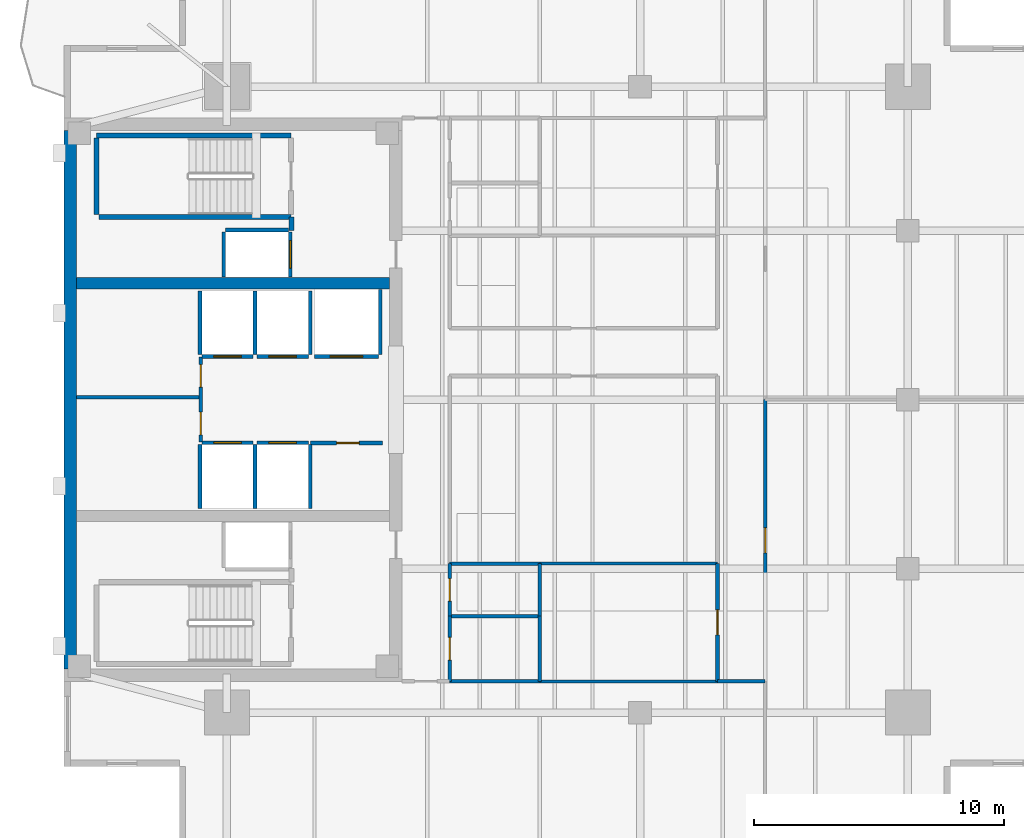
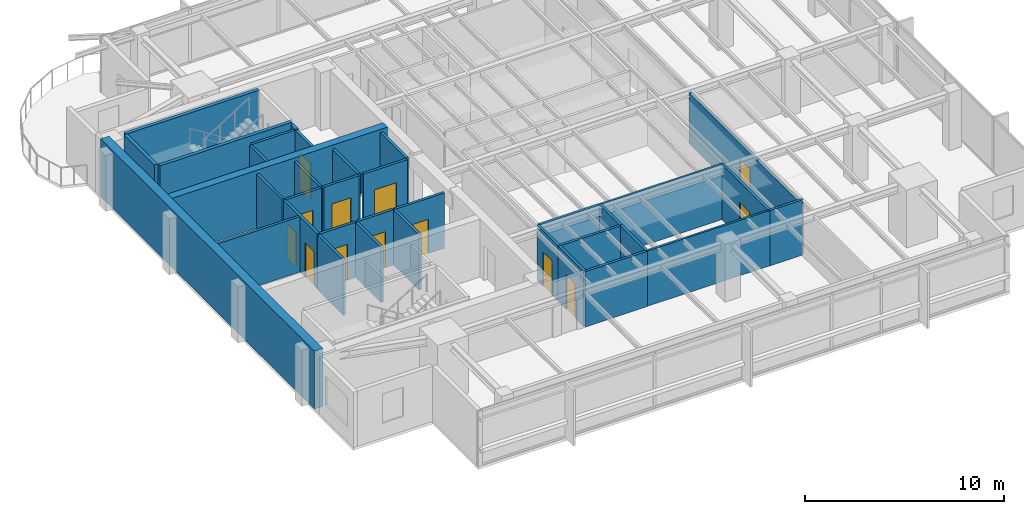
# One storey, part 8 of 14: 36 walls, 13 doors, 13 openings.
"""IFC4 building model written with IfcOpenShell, lengths in metres."""

from ifc_helpers import new_model, si_unit, direction, frame, frame_2d, origin, place, context, subcontext, project, spatial, rectangle, extrude, material, layer, layer_set, type_object, element, fill, save


model = new_model("IFC4")

# Units and contexts
model_context = context("Model", 3, precision=1e-05, world=origin(), true_north=direction((0.0, 1.0)))
body_context = subcontext(model_context, "Body", "Model", "MODEL_VIEW")
ifc_project = project(units=[si_unit("LENGTHUNIT", "METRE"), si_unit("AREAUNIT", "SQUARE_METRE"), si_unit("VOLUMEUNIT", "CUBIC_METRE"), si_unit("PLANEANGLEUNIT", "RADIAN"), si_unit("MASSUNIT", "GRAM", prefix="KILO")], contexts=[model_context])

# Site, building, storey
site_placement = place(None, origin())
site = spatial("IfcSite", under=ifc_project, at=site_placement, CompositionType="ELEMENT")
building_placement = place(site_placement, origin())
building = spatial("IfcBuilding", under=site, at=building_placement, Name="Kinhvarn Gate Tower", CompositionType="ELEMENT")
storey_placement = place(building_placement, frame((0.0, 0.0, 263.449951171875)))
storey = spatial("IfcBuildingStorey", under=building, at=storey_placement, Name="L70", CompositionType="ELEMENT", Elevation=263.449951171875)

# Walls
ifc_material_1 = material(Name="Concrete C50/60", Category="concrete")
ifc_layer_1 = layer(ifc_material_1, 0.449951171875)
ifc_layer_set_1 = layer_set([ifc_layer_1], Name="Concrete C50/60")
wall_type_1 = type_object("IfcWallType", Name="WL-CORE-450", PredefinedType="SHEAR", material=ifc_layer_set_1)
wall_1_placement = place(storey_placement, frame((5.0, 29.89990234375, 0.0), z_axis=(0.0, 0.0, 1.0), x_axis=(1.0, 0.0, 0.0)))
element("IfcWall", 1, at=wall_1_placement, inside=storey, type_object=wall_type_1, Name="Core North Spine Shear Wall L70 450 mm", PredefinedType="SHEAR", context=body_context, shape_type="SweptSolid", body=[
    extrude(rectangle(XDim=12.5, YDim=0.449951171875, at=frame_2d((6.25, 0.0))), origin(), (0.0, 0.0, 1.0), 3.550048828125),
])
ifc_layer_2 = layer(ifc_material_1, 0.5)
ifc_layer_set_2 = layer_set([ifc_layer_2], Name="Concrete C50/60")
wall_type_2 = type_object("IfcWallType", Name="WL-COREX-500", PredefinedType="SHEAR", material=ifc_layer_set_2)
wall_2_placement = place(storey_placement, frame((4.75, 14.5, 0.0), z_axis=(0.0, 0.0, 1.0), x_axis=(0.0, 1.0, 0.0)))
element("IfcWall", 2, at=wall_2_placement, inside=storey, type_object=wall_type_2, Name="Core West Shear Wall L70 500 mm", PredefinedType="SHEAR", context=body_context, shape_type="SweptSolid", body=[
    extrude(rectangle(XDim=21.5, YDim=0.5, at=frame_2d((10.75, 0.0))), origin(), (0.0, 0.0, 1.0), 3.550048828125),
])
ifc_material_2 = material(Name="Gypsum acoustic partition board")
ifc_layer_3 = layer(ifc_material_2, 0.14990234375)
ifc_layer_set_3 = layer_set([ifc_layer_3], Name="Gypsum acoustic partition board")
wall_type_3 = type_object("IfcWallType", Name="WL-PLM-150", PredefinedType="PLUMBINGWALL", material=ifc_layer_set_3)
wall_3_placement = place(storey_placement, frame((19.89990234375, 16.60009765625, 0.0), z_axis=(0.0, 0.0, 1.0), x_axis=(1.0, 0.0, 0.0)))
element("IfcWall", 3, at=wall_3_placement, inside=storey, type_object=wall_type_3, Name="Interior Partition PLW-150 (L70)", PredefinedType="PLUMBINGWALL", context=body_context, shape_type="SweptSolid", body=[
    extrude(rectangle(XDim=3.60009765625, YDim=0.14990234375, at=frame_2d((1.800048828125, 0.0))), origin(), (0.0, 0.0, 1.0), 3.39013671875),
])
wall_4_placement = place(storey_placement, frame((23.5, 14.0, 0.0), z_axis=(0.0, 0.0, 1.0), x_axis=(0.0, 1.0, 0.0)))
element("IfcWall", 4, at=wall_4_placement, inside=storey, type_object=wall_type_3, Name="Interior Partition PLW-150 (L70)", PredefinedType="PLUMBINGWALL", context=body_context, shape_type="SweptSolid", body=[
    extrude(rectangle(XDim=2.60009765625, YDim=0.14990234375, at=frame_2d((1.300048828125, 0.0))), origin(), (0.0, 0.0, 1.0), 3.39013671875),
])
wall_5_placement = place(storey_placement, frame((19.89990234375, 14.0, 0.0), z_axis=(0.0, 0.0, 1.0), x_axis=(1.0, 0.0, 0.0)))
element("IfcWall", 5, at=wall_5_placement, inside=storey, type_object=wall_type_3, Name="Interior Partition PLW-150 (L70)", PredefinedType="PLUMBINGWALL", context=body_context, shape_type="SweptSolid", body=[
    extrude(rectangle(XDim=3.60009765625, YDim=0.14990234375, at=frame_2d((1.800048828125, 0.0))), origin(), (0.0, 0.0, 1.0), 3.39013671875),
])
wall_6_placement = place(storey_placement, frame((23.5, 16.60009765625, 0.0), z_axis=(0.0, 0.0, 1.0), x_axis=(0.0, 1.0, 0.0)))
element("IfcWall", 6, at=wall_6_placement, inside=storey, type_object=wall_type_3, Name="Interior Partition PLW-150 (L70)", PredefinedType="PLUMBINGWALL", context=body_context, shape_type="SweptSolid", body=[
    extrude(rectangle(XDim=2.099853515625, YDim=0.14990234375, at=frame_2d((1.0498046875, 0.0))), origin(), (0.0, 0.0, 1.0), 3.39013671875),
])
wall_7_placement = place(storey_placement, frame((19.89990234375, 18.699951171875, 0.0), z_axis=(0.0, 0.0, 1.0), x_axis=(1.0, 0.0, 0.0)))
element("IfcWall", 7, at=wall_7_placement, inside=storey, type_object=wall_type_3, Name="Interior Partition PLW-150 (L70)", PredefinedType="PLUMBINGWALL", context=body_context, shape_type="SweptSolid", body=[
    extrude(rectangle(XDim=3.60009765625, YDim=0.14990234375, at=frame_2d((1.800048828125, 0.0))), origin(), (0.0, 0.0, 1.0), 3.39013671875),
])

# Wall, opening, door
ifc_layer_4 = layer(ifc_material_2, 0.14990234375)
ifc_layer_set_4 = layer_set([ifc_layer_4], Name="Gypsum acoustic partition board")
wall_type_4 = type_object("IfcWallType", Name="WL-PLM-150F", PredefinedType="PLUMBINGWALL", material=ifc_layer_set_4)
wall_8_placement = place(storey_placement, frame((19.89990234375, 14.0, 0.0), z_axis=(0.0, 0.0, 1.0), x_axis=(0.0, 1.0, 0.0)))
wall_8 = element("IfcWall", 8, at=wall_8_placement, inside=storey, type_object=wall_type_4, Name="Interior Partition PLW-150F (L70)", PredefinedType="PLUMBINGWALL", context=body_context, shape_type="SweptSolid", body=[
    extrude(rectangle(XDim=2.60009765625, YDim=0.14990234375, at=frame_2d((1.300048828125, 0.0))), origin(), (0.0, 0.0, 1.0), 3.39013671875),
])
opening_1_placement = place(wall_8_placement, frame((0.85009765625, 0.0, 0.0)))
opening_1 = element("IfcOpeningElement", 9, at=opening_1_placement, cuts=wall_8, Name="Opening FD-04", PredefinedType="OPENING", context=body_context, shape_type="SweptSolid", body=[
    extrude(rectangle(XDim=0.89990234375, YDim=2.10009765625, at=frame_2d((0.449951171875, 1.050048828125))), frame((0.0, 0.0849609375, 0.0), z_axis=(0.0, -1.0, 0.0), x_axis=(1.0, 0.0, 0.0)), (0.0, 0.0, 1.0), 0.169921875),
])
ifc_material_3 = material(Name="Anodised aluminium AW-6063", Category="aluminium")
door_type_1 = type_object("IfcDoorType", Name="DR-FD-900", OperationType="NOTDEFINED", PredefinedType="DOOR", material=ifc_material_3)
door_1_placement = place(opening_1_placement, origin())
door_1 = element("IfcDoor", 10, at=door_1_placement, inside=storey, type_object=door_type_1, Name="Rated Riser & Service Closet Fire Door 900x2100 mm (L70)", OperationType="SINGLE_SWING_RIGHT", OverallHeight=2.10009765625, OverallWidth=0.89990234375, PredefinedType="DOOR", context=body_context, shape_type="SweptSolid", body=[
    extrude(rectangle(XDim=0.89990234375, YDim=2.10009765625, at=frame_2d((0.449951171875, 1.050048828125))), frame((0.0, 0.02490234375, 0.0), z_axis=(0.0, -1.0, 0.0), x_axis=(1.0, 0.0, 0.0)), (0.0, 0.0, 1.0), 0.050048828125),
])
fill(opening_1, door_1)

wall_9_placement = place(storey_placement, frame((19.89990234375, 16.60009765625, 0.0), z_axis=(0.0, 0.0, 1.0), x_axis=(0.0, 1.0, 0.0)))
wall_9 = element("IfcWall", 11, at=wall_9_placement, inside=storey, type_object=wall_type_4, Name="Interior Partition PLW-150F (L70)", PredefinedType="PLUMBINGWALL", context=body_context, shape_type="SweptSolid", body=[
    extrude(rectangle(XDim=2.099853515625, YDim=0.14990234375, at=frame_2d((1.0498046875, 0.0))), origin(), (0.0, 0.0, 1.0), 3.39013671875),
])
opening_2_placement = place(wall_9_placement, frame((0.60009765625, 0.0, 0.0)))
opening_2 = element("IfcOpeningElement", 12, at=opening_2_placement, cuts=wall_9, Name="Opening FD-04", PredefinedType="OPENING", context=body_context, shape_type="SweptSolid", body=[
    extrude(rectangle(XDim=0.89990234375, YDim=2.10009765625, at=frame_2d((0.449951171875, 1.050048828125))), frame((0.0, 0.0849609375, 0.0), z_axis=(0.0, -1.0, 0.0), x_axis=(1.0, 0.0, 0.0)), (0.0, 0.0, 1.0), 0.169921875),
])
door_2_placement = place(opening_2_placement, origin())
door_2 = element("IfcDoor", 13, at=door_2_placement, inside=storey, type_object=door_type_1, Name="Rated Riser & Service Closet Fire Door 900x2100 mm (L70)", OperationType="SINGLE_SWING_RIGHT", OverallHeight=2.10009765625, OverallWidth=0.89990234375, PredefinedType="DOOR", context=body_context, shape_type="SweptSolid", body=[
    extrude(rectangle(XDim=0.89990234375, YDim=2.10009765625, at=frame_2d((0.449951171875, 1.050048828125))), frame((0.0, 0.02490234375, 0.0), z_axis=(0.0, -1.0, 0.0), x_axis=(1.0, 0.0, 0.0)), (0.0, 0.0, 1.0), 0.050048828125),
])
fill(opening_2, door_2)

# Walls
ifc_layer_5 = layer(ifc_material_2, 0.1201171875)
ifc_layer_set_5 = layer_set([ifc_layer_5], Name="Gypsum acoustic partition board")
wall_type_5 = type_object("IfcWallType", Name="WL-PRT-120", PredefinedType="PARTITIONING", material=ifc_layer_set_5)
for number, where, z_axis, x_axis, name in (
    (14, (23.5, 18.699951171875, 0.0), (0.0, 0.0, 1.0), (1.0, 0.0, 0.0), "Interior Partition PW-120 (L70)"),
    (15, (23.5, 14.0, 0.0), (0.0, 0.0, 1.0), (1.0, 0.0, 0.0), "Interior Partition PW-120 (L70)"),
):
    element("IfcWall", number, at=place(storey_placement, frame(where, z_axis=z_axis, x_axis=x_axis)), inside=storey, type_object=wall_type_5, Name=name, PredefinedType="PARTITIONING", context=body_context, shape_type="SweptSolid", body=[
        extrude(rectangle(XDim=7.10009765625, YDim=0.1201171875, at=frame_2d((3.550048828125, 0.0))), origin(), (0.0, 0.0, 1.0), 3.39013671875),
    ])
ifc_layer_6 = layer(ifc_material_2, 0.14990234375)
ifc_layer_set_6 = layer_set([ifc_layer_6], Name="Gypsum acoustic partition board")
wall_type_6 = type_object("IfcWallType", Name="WL-PRT-150F", PredefinedType="PARTITIONING", material=ifc_layer_set_6)
wall_10_placement = place(storey_placement, frame((5.0, 25.35009765625, 0.0), z_axis=(0.0, 0.0, 1.0), x_axis=(1.0, 0.0, 0.0)))
element("IfcWall", 16, at=wall_10_placement, inside=storey, type_object=wall_type_6, Name="Interior Partition PW-150F (L70)", PredefinedType="PARTITIONING", context=body_context, shape_type="SweptSolid", body=[
    extrude(rectangle(XDim=4.949951171875, YDim=0.14990234375, at=frame_2d((2.47509765625, 0.0))), origin(), (0.0, 0.0, 1.0), 3.39013671875),
])

# Wall, openings, doors
wall_11_placement = place(storey_placement, frame((9.949951171875, 23.550048828125, 0.0), z_axis=(0.0, 0.0, 1.0), x_axis=(0.0, 1.0, 0.0)))
wall_11 = element("IfcWall", 17, at=wall_11_placement, inside=storey, type_object=wall_type_6, Name="Interior Partition PW-150F (L70)", PredefinedType="PARTITIONING", context=body_context, shape_type="SweptSolid", body=[
    extrude(rectangle(XDim=3.39990234375, YDim=0.14990234375, at=frame_2d((1.699951171875, 0.0))), origin(), (0.0, 0.0, 1.0), 3.39013671875),
])
opening_3_placement = place(wall_11_placement, frame((0.298095703125, 0.0, 0.0)))
opening_3 = element("IfcOpeningElement", 18, at=opening_3_placement, cuts=wall_11, Name="Opening FD-04", PredefinedType="OPENING", context=body_context, shape_type="SweptSolid", body=[
    extrude(rectangle(XDim=0.89990234375, YDim=2.10009765625, at=frame_2d((0.449951171875, 1.050048828125))), frame((0.0, 0.0849609375, 0.0), z_axis=(0.0, -1.0, 0.0), x_axis=(1.0, 0.0, 0.0)), (0.0, 0.0, 1.0), 0.169921875),
])
opening_4_placement = place(wall_11_placement, frame((2.201904296875, 0.0, 0.0)))
opening_4 = element("IfcOpeningElement", 19, at=opening_4_placement, cuts=wall_11, Name="Opening FD-04", PredefinedType="OPENING", context=body_context, shape_type="SweptSolid", body=[
    extrude(rectangle(XDim=0.89990234375, YDim=2.10009765625, at=frame_2d((0.449951171875, 1.050048828125))), frame((0.0, 0.0849609375, 0.0), z_axis=(0.0, -1.0, 0.0), x_axis=(1.0, 0.0, 0.0)), (0.0, 0.0, 1.0), 0.169921875),
])
door_3_placement = place(opening_3_placement, origin())
door_3 = element("IfcDoor", 20, at=door_3_placement, inside=storey, type_object=door_type_1, Name="Rated Riser & Service Closet Fire Door 900x2100 mm (L70)", OperationType="SINGLE_SWING_LEFT", OverallHeight=2.10009765625, OverallWidth=0.89990234375, PredefinedType="DOOR", context=body_context, shape_type="SweptSolid", body=[
    extrude(rectangle(XDim=0.89990234375, YDim=2.10009765625, at=frame_2d((0.449951171875, 1.050048828125))), frame((0.0, 0.02490234375, 0.0), z_axis=(0.0, -1.0, 0.0), x_axis=(1.0, 0.0, 0.0)), (0.0, 0.0, 1.0), 0.050048828125),
])
fill(opening_3, door_3)
door_4_placement = place(opening_4_placement, origin())
door_4 = element("IfcDoor", 21, at=door_4_placement, inside=storey, type_object=door_type_1, Name="Rated Riser & Service Closet Fire Door 900x2100 mm (L70)", OperationType="SINGLE_SWING_RIGHT", OverallHeight=2.10009765625, OverallWidth=0.89990234375, PredefinedType="DOOR", context=body_context, shape_type="SweptSolid", body=[
    extrude(rectangle(XDim=0.89990234375, YDim=2.10009765625, at=frame_2d((0.449951171875, 1.050048828125))), frame((0.0, 0.02490234375, 0.0), z_axis=(0.0, -1.0, 0.0), x_axis=(1.0, 0.0, 0.0)), (0.0, 0.0, 1.0), 0.050048828125),
])
fill(opening_4, door_4)

# Wall, opening, door
wall_12_placement = place(storey_placement, frame((14.330078125, 23.52001953125, 0.0), z_axis=(0.0, 0.0, 1.0), x_axis=(1.0, 0.0, 0.0)))
wall_12 = element("IfcWall", 22, at=wall_12_placement, inside=storey, type_object=wall_type_6, Name="Interior Partition PW-150F (L70)", PredefinedType="PARTITIONING", context=body_context, shape_type="SweptSolid", body=[
    extrude(rectangle(XDim=2.889892578125, YDim=0.14990234375, at=frame_2d((1.44482421875, 0.0))), origin(), (0.0, 0.0, 1.0), 3.39013671875),
])
opening_5_placement = place(wall_12_placement, frame((1.052734375, 0.0, 0.0)))
opening_5 = element("IfcOpeningElement", 23, at=opening_5_placement, cuts=wall_12, Name="Opening FD-04", PredefinedType="OPENING", context=body_context, shape_type="SweptSolid", body=[
    extrude(rectangle(XDim=0.89990234375, YDim=2.10009765625, at=frame_2d((0.449951171875, 1.050048828125))), frame((0.0, 0.0849609375, 0.0), z_axis=(0.0, -1.0, 0.0), x_axis=(1.0, 0.0, 0.0)), (0.0, 0.0, 1.0), 0.169921875),
])
door_5_placement = place(opening_5_placement, origin())
door_5 = element("IfcDoor", 24, at=door_5_placement, inside=storey, type_object=door_type_1, Name="Rated Riser & Service Closet Fire Door 900x2100 mm (L70)", OperationType="SINGLE_SWING_LEFT", OverallHeight=2.10009765625, OverallWidth=0.89990234375, PredefinedType="DOOR", context=body_context, shape_type="SweptSolid", body=[
    extrude(rectangle(XDim=0.89990234375, YDim=2.10009765625, at=frame_2d((0.449951171875, 1.050048828125))), frame((0.0, 0.02490234375, 0.0), z_axis=(0.0, -1.0, 0.0), x_axis=(1.0, 0.0, 0.0)), (0.0, 0.0, 1.0), 0.050048828125),
])
fill(opening_5, door_5)

wall_13_placement = place(storey_placement, frame((30.60009765625, 14.0, 0.0), z_axis=(0.0, 0.0, 1.0), x_axis=(0.0, 1.0, 0.0)))
wall_13 = element("IfcWall", 25, at=wall_13_placement, inside=storey, type_object=wall_type_6, Name="Interior Partition PW-150F (L70)", PredefinedType="PARTITIONING", context=body_context, shape_type="SweptSolid", body=[
    extrude(rectangle(XDim=4.699951171875, YDim=0.14990234375, at=frame_2d((2.35009765625, 0.0))), origin(), (0.0, 0.0, 1.0), 3.39013671875),
])
opening_6_placement = place(wall_13_placement, frame((1.85009765625, 0.0, 0.0)))
opening_6 = element("IfcOpeningElement", 26, at=opening_6_placement, cuts=wall_13, Name="Opening ID-02", PredefinedType="OPENING", context=body_context, shape_type="SweptSolid", body=[
    extrude(rectangle(XDim=1.0, YDim=2.14990234375, at=frame_2d((0.5, 1.074951171875))), frame((0.0, 0.0849609375, 0.0), z_axis=(0.0, -1.0, 0.0), x_axis=(1.0, 0.0, 0.0)), (0.0, 0.0, 1.0), 0.169921875),
])
door_type_2 = type_object("IfcDoorType", Name="DR-INT-1000", OperationType="NOTDEFINED", PredefinedType="DOOR", material=ifc_material_3)
door_6_placement = place(opening_6_placement, origin())
door_6 = element("IfcDoor", 27, at=door_6_placement, inside=storey, type_object=door_type_2, Name="Standard Office & Meeting Room Door 1000x2150 mm (L70)", OperationType="SINGLE_SWING_RIGHT", OverallHeight=2.14990234375, OverallWidth=1.0, PredefinedType="DOOR", context=body_context, shape_type="SweptSolid", body=[
    extrude(rectangle(XDim=1.0, YDim=2.14990234375, at=frame_2d((0.5, 1.074951171875))), frame((0.0, 0.02490234375, 0.0), z_axis=(0.0, -1.0, 0.0), x_axis=(1.0, 0.0, 0.0)), (0.0, 0.0, 1.0), 0.050048828125),
])
fill(opening_6, door_6)

# Wall
wall_14_placement = place(storey_placement, frame((30.60009765625, 14.0, 0.0), z_axis=(0.0, 0.0, 1.0), x_axis=(1.0, 0.0, 0.0)))
element("IfcWall", 28, at=wall_14_placement, inside=storey, type_object=wall_type_6, Name="Interior Partition PW-150F (L70)", PredefinedType="PARTITIONING", context=body_context, shape_type="SweptSolid", body=[
    extrude(rectangle(XDim=1.89990234375, YDim=0.14990234375, at=frame_2d((0.949951171875, 0.0))), origin(), (0.0, 0.0, 1.0), 3.39013671875),
])

# Wall, opening, door
wall_15_placement = place(storey_placement, frame((32.5, 14.0, 0.0), z_axis=(0.0, 0.0, 1.0), x_axis=(0.0, 1.0, 0.0)))
wall_15 = element("IfcWall", 29, at=wall_15_placement, inside=storey, type_object=wall_type_6, Name="Interior Partition PW-150F (L70)", PredefinedType="PARTITIONING", context=body_context, shape_type="SweptSolid", body=[
    extrude(rectangle(XDim=11.25, YDim=0.14990234375, at=frame_2d((5.625, 0.0))), origin(), (0.0, 0.0, 1.0), 3.1201171875),
])
opening_7_placement = place(wall_15_placement, frame((5.125, 0.0, 0.0)))
opening_7 = element("IfcOpeningElement", 30, at=opening_7_placement, cuts=wall_15, Name="Opening ID-02", PredefinedType="OPENING", context=body_context, shape_type="SweptSolid", body=[
    extrude(rectangle(XDim=1.0, YDim=2.14990234375, at=frame_2d((0.5, 1.074951171875))), frame((0.0, 0.0849609375, 0.0), z_axis=(0.0, -1.0, 0.0), x_axis=(1.0, 0.0, 0.0)), (0.0, 0.0, 1.0), 0.169921875),
])
door_7_placement = place(opening_7_placement, origin())
door_7 = element("IfcDoor", 31, at=door_7_placement, inside=storey, type_object=door_type_2, Name="Standard Office & Meeting Room Door 1000x2150 mm (L70)", OperationType="SINGLE_SWING_RIGHT", OverallHeight=2.14990234375, OverallWidth=1.0, PredefinedType="DOOR", context=body_context, shape_type="SweptSolid", body=[
    extrude(rectangle(XDim=1.0, YDim=2.14990234375, at=frame_2d((0.5, 1.074951171875))), frame((0.0, 0.02490234375, 0.0), z_axis=(0.0, -1.0, 0.0), x_axis=(1.0, 0.0, 0.0)), (0.0, 0.0, 1.0), 0.050048828125),
])
fill(opening_7, door_7)

# Wall
ifc_layer_7 = layer(ifc_material_2, 0.199951171875)
ifc_layer_set_7 = layer_set([ifc_layer_7], Name="Gypsum acoustic partition board")
wall_type_7 = type_object("IfcWallType", Name="WL-PRT-200", PredefinedType="PARTITIONING", material=ifc_layer_set_7)
wall_16_placement = place(storey_placement, frame((13.580078125, 32.0, 0.0), z_axis=(0.0, 0.0, 1.0), x_axis=(0.0, 1.0, 0.0)))
element("IfcWall", 32, at=wall_16_placement, inside=storey, type_object=wall_type_7, Name="Interior Partition PW-200 (L70)", PredefinedType="PARTITIONING", context=body_context, shape_type="SweptSolid", body=[
    extrude(rectangle(XDim=0.5400390625, YDim=0.199951171875, at=frame_2d((0.27001953125, 0.0))), origin(), (0.0, 0.0, 1.0), 3.39013671875),
])

# Wall, opening, door
ifc_layer_8 = layer(ifc_material_2, 0.14990234375)
ifc_layer_set_8 = layer_set([ifc_layer_8], Name="Gypsum acoustic partition board")
wall_type_8 = type_object("IfcWallType", Name="WL-SHF-150", PredefinedType="PARTITIONING", material=ifc_layer_set_8)
wall_17_placement = place(storey_placement, frame((10.0, 23.52490234375, 0.0), z_axis=(0.0, 0.0, 1.0), x_axis=(1.0, 0.0, 0.0)))
wall_17 = element("IfcWall", 33, at=wall_17_placement, inside=storey, type_object=wall_type_8, Name="Elevator PH-09 Landing Wall (L70)", PredefinedType="PARTITIONING", context=body_context, shape_type="SweptSolid", body=[
    extrude(rectangle(XDim=2.050048828125, YDim=0.14990234375, at=frame_2d((1.02490234375, 0.0))), origin(), (0.0, 0.0, 1.0), 3.39013671875),
])
opening_8_placement = place(wall_17_placement, frame((0.47509765625, 0.0, 0.0)))
opening_8 = element("IfcOpeningElement", 34, at=opening_8_placement, cuts=wall_17, Name="Opening LD-01", PredefinedType="OPENING", context=body_context, shape_type="SweptSolid", body=[
    extrude(rectangle(XDim=1.10009765625, YDim=2.199951171875, at=frame_2d((0.550048828125, 1.10009765625))), frame((0.0, 0.0849609375, 0.0), z_axis=(0.0, -1.0, 0.0), x_axis=(1.0, 0.0, 0.0)), (0.0, 0.0, 1.0), 0.169921875),
])
door_type_3 = type_object("IfcDoorType", Name="DR-LND-PAS", OperationType="NOTDEFINED", PredefinedType="DOOR", material=ifc_material_3)
door_8_placement = place(opening_8_placement, origin())
door_8 = element("IfcDoor", 35, at=door_8_placement, inside=storey, type_object=door_type_3, Name="Elevator PH-09 Sliding Landing Door (L70)", OperationType="DOUBLE_DOOR_SLIDING", OverallHeight=2.199951171875, OverallWidth=1.10009765625, PredefinedType="DOOR", context=body_context, shape_type="SweptSolid", body=[
    extrude(rectangle(XDim=1.10009765625, YDim=2.199951171875, at=frame_2d((0.550048828125, 1.10009765625))), frame((0.0, 0.02490234375, 0.0), z_axis=(0.0, -1.0, 0.0), x_axis=(1.0, 0.0, 0.0)), (0.0, 0.0, 1.0), 0.050048828125),
])
fill(opening_8, door_8)

# Walls
for number, where, z_axis, x_axis, name in (
    (36, (9.925048828125, 20.89990234375, 0.0), (0.0, 0.0, 1.0), (0.0, 1.0, 0.0), "Elevator PH-09 Hoistway Wall W (L70)"),
    (37, (12.125, 20.89990234375, 0.0), (0.0, 0.0, 1.0), (0.0, 1.0, 0.0), "Elevator PH-09 Hoistway Wall E (L70)"),
):
    element("IfcWall", number, at=place(storey_placement, frame(where, z_axis=z_axis, x_axis=x_axis)), inside=storey, type_object=wall_type_8, Name=name, PredefinedType="PARTITIONING", context=body_context, shape_type="SweptSolid", body=[
        extrude(rectangle(XDim=2.550048828125, YDim=0.14990234375, at=frame_2d((1.27490234375, 0.0))), origin(), (0.0, 0.0, 1.0), 3.39013671875),
    ])

# Wall, opening, door
wall_18_placement = place(storey_placement, frame((12.199951171875, 23.52490234375, 0.0), z_axis=(0.0, 0.0, 1.0), x_axis=(1.0, 0.0, 0.0)))
wall_18 = element("IfcWall", 38, at=wall_18_placement, inside=storey, type_object=wall_type_8, Name="Elevator PH-10 Landing Wall (L70)", PredefinedType="PARTITIONING", context=body_context, shape_type="SweptSolid", body=[
    extrude(rectangle(XDim=2.050048828125, YDim=0.14990234375, at=frame_2d((1.02490234375, 0.0))), origin(), (0.0, 0.0, 1.0), 3.39013671875),
])
opening_9_placement = place(wall_18_placement, frame((0.47509765625, 0.0, 0.0)))
opening_9 = element("IfcOpeningElement", 39, at=opening_9_placement, cuts=wall_18, Name="Opening LD-01", PredefinedType="OPENING", context=body_context, shape_type="SweptSolid", body=[
    extrude(rectangle(XDim=1.10009765625, YDim=2.199951171875, at=frame_2d((0.550048828125, 1.10009765625))), frame((0.0, 0.0849609375, 0.0), z_axis=(0.0, -1.0, 0.0), x_axis=(1.0, 0.0, 0.0)), (0.0, 0.0, 1.0), 0.169921875),
])
door_9_placement = place(opening_9_placement, origin())
door_9 = element("IfcDoor", 40, at=door_9_placement, inside=storey, type_object=door_type_3, Name="Elevator PH-10 Sliding Landing Door (L70)", OperationType="DOUBLE_DOOR_SLIDING", OverallHeight=2.199951171875, OverallWidth=1.10009765625, PredefinedType="DOOR", context=body_context, shape_type="SweptSolid", body=[
    extrude(rectangle(XDim=1.10009765625, YDim=2.199951171875, at=frame_2d((0.550048828125, 1.10009765625))), frame((0.0, 0.02490234375, 0.0), z_axis=(0.0, -1.0, 0.0), x_axis=(1.0, 0.0, 0.0)), (0.0, 0.0, 1.0), 0.050048828125),
])
fill(opening_9, door_9)

# Wall
wall_19_placement = place(storey_placement, frame((14.324951171875, 20.89990234375, 0.0), z_axis=(0.0, 0.0, 1.0), x_axis=(0.0, 1.0, 0.0)))
element("IfcWall", 41, at=wall_19_placement, inside=storey, type_object=wall_type_8, Name="Elevator PH-10 Hoistway Wall E (L70)", PredefinedType="PARTITIONING", context=body_context, shape_type="SweptSolid", body=[
    extrude(rectangle(XDim=2.550048828125, YDim=0.14990234375, at=frame_2d((1.27490234375, 0.0))), origin(), (0.0, 0.0, 1.0), 3.39013671875),
])

# Wall, opening, door
wall_20_placement = place(storey_placement, frame((10.0, 26.97509765625, 0.0), z_axis=(0.0, 0.0, 1.0), x_axis=(1.0, 0.0, 0.0)))
wall_20 = element("IfcWall", 42, at=wall_20_placement, inside=storey, type_object=wall_type_8, Name="Elevator PH-11 Landing Wall (L70)", PredefinedType="PARTITIONING", context=body_context, shape_type="SweptSolid", body=[
    extrude(rectangle(XDim=2.050048828125, YDim=0.14990234375, at=frame_2d((1.02490234375, 0.0))), origin(), (0.0, 0.0, 1.0), 3.39013671875),
])
opening_10_placement = place(wall_20_placement, frame((0.47509765625, 0.0, 0.0)))
opening_10 = element("IfcOpeningElement", 43, at=opening_10_placement, cuts=wall_20, Name="Opening LD-01", PredefinedType="OPENING", context=body_context, shape_type="SweptSolid", body=[
    extrude(rectangle(XDim=1.10009765625, YDim=2.199951171875, at=frame_2d((0.550048828125, 1.10009765625))), frame((0.0, 0.0849609375, 0.0), z_axis=(0.0, -1.0, 0.0), x_axis=(1.0, 0.0, 0.0)), (0.0, 0.0, 1.0), 0.169921875),
])
door_10_placement = place(opening_10_placement, origin())
door_10 = element("IfcDoor", 44, at=door_10_placement, inside=storey, type_object=door_type_3, Name="Elevator PH-11 Sliding Landing Door (L70)", OperationType="DOUBLE_DOOR_SLIDING", OverallHeight=2.199951171875, OverallWidth=1.10009765625, PredefinedType="DOOR", context=body_context, shape_type="SweptSolid", body=[
    extrude(rectangle(XDim=1.10009765625, YDim=2.199951171875, at=frame_2d((0.550048828125, 1.10009765625))), frame((0.0, 0.02490234375, 0.0), z_axis=(0.0, -1.0, 0.0), x_axis=(1.0, 0.0, 0.0)), (0.0, 0.0, 1.0), 0.050048828125),
])
fill(opening_10, door_10)

# Walls
for number, where, z_axis, x_axis, name in (
    (45, (9.925048828125, 27.050048828125, 0.0), (0.0, 0.0, 1.0), (0.0, 1.0, 0.0), "Elevator PH-11 Hoistway Wall W (L70)"),
    (46, (12.125, 27.050048828125, 0.0), (0.0, 0.0, 1.0), (0.0, 1.0, 0.0), "Elevator PH-11 Hoistway Wall E (L70)"),
):
    element("IfcWall", number, at=place(storey_placement, frame(where, z_axis=z_axis, x_axis=x_axis)), inside=storey, type_object=wall_type_8, Name=name, PredefinedType="PARTITIONING", context=body_context, shape_type="SweptSolid", body=[
        extrude(rectangle(XDim=2.550048828125, YDim=0.14990234375, at=frame_2d((1.27490234375, 0.0))), origin(), (0.0, 0.0, 1.0), 3.39013671875),
    ])

# Wall, opening, door
wall_21_placement = place(storey_placement, frame((12.199951171875, 26.97509765625, 0.0), z_axis=(0.0, 0.0, 1.0), x_axis=(1.0, 0.0, 0.0)))
wall_21 = element("IfcWall", 47, at=wall_21_placement, inside=storey, type_object=wall_type_8, Name="Elevator PH-12 Landing Wall (L70)", PredefinedType="PARTITIONING", context=body_context, shape_type="SweptSolid", body=[
    extrude(rectangle(XDim=2.050048828125, YDim=0.14990234375, at=frame_2d((1.02490234375, 0.0))), origin(), (0.0, 0.0, 1.0), 3.39013671875),
])
opening_11_placement = place(wall_21_placement, frame((0.47509765625, 0.0, 0.0)))
opening_11 = element("IfcOpeningElement", 48, at=opening_11_placement, cuts=wall_21, Name="Opening LD-01", PredefinedType="OPENING", context=body_context, shape_type="SweptSolid", body=[
    extrude(rectangle(XDim=1.10009765625, YDim=2.199951171875, at=frame_2d((0.550048828125, 1.10009765625))), frame((0.0, 0.0849609375, 0.0), z_axis=(0.0, -1.0, 0.0), x_axis=(1.0, 0.0, 0.0)), (0.0, 0.0, 1.0), 0.169921875),
])
door_11_placement = place(opening_11_placement, origin())
door_11 = element("IfcDoor", 49, at=door_11_placement, inside=storey, type_object=door_type_3, Name="Elevator PH-12 Sliding Landing Door (L70)", OperationType="DOUBLE_DOOR_SLIDING", OverallHeight=2.199951171875, OverallWidth=1.10009765625, PredefinedType="DOOR", context=body_context, shape_type="SweptSolid", body=[
    extrude(rectangle(XDim=1.10009765625, YDim=2.199951171875, at=frame_2d((0.550048828125, 1.10009765625))), frame((0.0, 0.02490234375, 0.0), z_axis=(0.0, -1.0, 0.0), x_axis=(1.0, 0.0, 0.0)), (0.0, 0.0, 1.0), 0.050048828125),
])
fill(opening_11, door_11)

# Wall
wall_22_placement = place(storey_placement, frame((14.324951171875, 27.050048828125, 0.0), z_axis=(0.0, 0.0, 1.0), x_axis=(0.0, 1.0, 0.0)))
element("IfcWall", 50, at=wall_22_placement, inside=storey, type_object=wall_type_8, Name="Elevator PH-12 Hoistway Wall E (L70)", PredefinedType="PARTITIONING", context=body_context, shape_type="SweptSolid", body=[
    extrude(rectangle(XDim=2.550048828125, YDim=0.14990234375, at=frame_2d((1.27490234375, 0.0))), origin(), (0.0, 0.0, 1.0), 3.39013671875),
])

# Wall, opening, door
wall_23_placement = place(storey_placement, frame((14.5, 26.97509765625, 0.0), z_axis=(0.0, 0.0, 1.0), x_axis=(1.0, 0.0, 0.0)))
wall_23 = element("IfcWall", 51, at=wall_23_placement, inside=storey, type_object=wall_type_8, Name="Elevator SV-01 Landing Wall (L70)", PredefinedType="PARTITIONING", context=body_context, shape_type="SweptSolid", body=[
    extrude(rectangle(XDim=2.550048828125, YDim=0.14990234375, at=frame_2d((1.27490234375, 0.0))), origin(), (0.0, 0.0, 1.0), 3.39013671875),
])
opening_12_placement = place(wall_23_placement, frame((0.625, 0.0, 0.0)))
opening_12 = element("IfcOpeningElement", 52, at=opening_12_placement, cuts=wall_23, Name="Opening LD-02", PredefinedType="OPENING", context=body_context, shape_type="SweptSolid", body=[
    extrude(rectangle(XDim=1.300048828125, YDim=2.199951171875, at=frame_2d((0.64990234375, 1.10009765625))), frame((0.0, 0.0849609375, 0.0), z_axis=(0.0, -1.0, 0.0), x_axis=(1.0, 0.0, 0.0)), (0.0, 0.0, 1.0), 0.169921875),
])
door_type_4 = type_object("IfcDoorType", Name="DR-LND-SRV", OperationType="NOTDEFINED", PredefinedType="DOOR", material=ifc_material_3)
door_12_placement = place(opening_12_placement, origin())
door_12 = element("IfcDoor", 53, at=door_12_placement, inside=storey, type_object=door_type_4, Name="Elevator SV-01 Sliding Landing Door (L70)", OperationType="DOUBLE_DOOR_SLIDING", OverallHeight=2.199951171875, OverallWidth=1.300048828125, PredefinedType="DOOR", context=body_context, shape_type="SweptSolid", body=[
    extrude(rectangle(XDim=1.300048828125, YDim=2.199951171875, at=frame_2d((0.64990234375, 1.10009765625))), frame((0.0, 0.02490234375, 0.0), z_axis=(0.0, -1.0, 0.0), x_axis=(1.0, 0.0, 0.0)), (0.0, 0.0, 1.0), 0.050048828125),
])
fill(opening_12, door_12)

# Walls
wall_24_placement = place(storey_placement, frame((17.125, 27.050048828125, 0.0), z_axis=(0.0, 0.0, 1.0), x_axis=(0.0, 1.0, 0.0)))
element("IfcWall", 54, at=wall_24_placement, inside=storey, type_object=wall_type_8, Name="Elevator SV-01 Hoistway Wall E (L70)", PredefinedType="PARTITIONING", context=body_context, shape_type="SweptSolid", body=[
    extrude(rectangle(XDim=2.599853515625, YDim=0.14990234375, at=frame_2d((1.2998046875, 0.0))), origin(), (0.0, 0.0, 1.0), 3.39013671875),
])
wall_25_placement = place(storey_placement, frame((10.949951171875, 32.02490234375, 0.0), z_axis=(0.0, 0.0, 1.0), x_axis=(1.0, 0.0, 0.0)))
element("IfcWall", 55, at=wall_25_placement, inside=storey, type_object=wall_type_8, Name="Elevator FF2 Hoistway Wall N (L70)", PredefinedType="PARTITIONING", context=body_context, shape_type="SweptSolid", body=[
    extrude(rectangle(XDim=2.5, YDim=0.14990234375, at=frame_2d((1.25, 0.0))), origin(), (0.0, 0.0, 1.0), 3.39013671875),
])
wall_26_placement = place(storey_placement, frame((10.875, 30.14990234375, 0.0), z_axis=(0.0, 0.0, 1.0), x_axis=(0.0, 1.0, 0.0)))
element("IfcWall", 56, at=wall_26_placement, inside=storey, type_object=wall_type_8, Name="Elevator FF2 Hoistway Wall W (L70)", PredefinedType="PARTITIONING", context=body_context, shape_type="SweptSolid", body=[
    extrude(rectangle(XDim=1.800048828125, YDim=0.14990234375, at=frame_2d((0.89990234375, 0.0))), origin(), (0.0, 0.0, 1.0), 3.39013671875),
])

# Wall, opening, door
wall_27_placement = place(storey_placement, frame((13.52490234375, 30.14990234375, 0.0), z_axis=(0.0, 0.0, 1.0), x_axis=(0.0, 1.0, 0.0)))
wall_27 = element("IfcWall", 57, at=wall_27_placement, inside=storey, type_object=wall_type_8, Name="Elevator FF2 Landing Wall (L70)", PredefinedType="PARTITIONING", context=body_context, shape_type="SweptSolid", body=[
    extrude(rectangle(XDim=1.800048828125, YDim=0.14990234375, at=frame_2d((0.89990234375, 0.0))), origin(), (0.0, 0.0, 1.0), 3.39013671875),
])
opening_13_placement = place(wall_27_placement, frame((0.35009765625, 0.0, 0.0)))
opening_13 = element("IfcOpeningElement", 58, at=opening_13_placement, cuts=wall_27, Name="Opening LD-03", PredefinedType="OPENING", context=body_context, shape_type="SweptSolid", body=[
    extrude(rectangle(XDim=1.10009765625, YDim=2.199951171875, at=frame_2d((0.550048828125, 1.10009765625))), frame((0.0, 0.0849609375, 0.0), z_axis=(0.0, -1.0, 0.0), x_axis=(1.0, 0.0, 0.0)), (0.0, 0.0, 1.0), 0.169921875),
])
door_type_5 = type_object("IfcDoorType", Name="DR-LND-FF", OperationType="NOTDEFINED", PredefinedType="DOOR", material=ifc_material_3)
door_13_placement = place(opening_13_placement, origin())
door_13 = element("IfcDoor", 59, at=door_13_placement, inside=storey, type_object=door_type_5, Name="Elevator FF2 Sliding Landing Door (L70)", OperationType="DOUBLE_DOOR_SLIDING", OverallHeight=2.199951171875, OverallWidth=1.10009765625, PredefinedType="DOOR", context=body_context, shape_type="SweptSolid", body=[
    extrude(rectangle(XDim=1.10009765625, YDim=2.199951171875, at=frame_2d((0.550048828125, 1.10009765625))), frame((0.0, 0.02490234375, 0.0), z_axis=(0.0, -1.0, 0.0), x_axis=(1.0, 0.0, 0.0)), (0.0, 0.0, 1.0), 0.050048828125),
])
fill(opening_13, door_13)

# Walls
ifc_material_4 = material(Name="Concrete C40/50", Category="concrete")
ifc_layer_9 = layer(ifc_material_4, 0.199951171875)
ifc_layer_set_9 = layer_set([ifc_layer_9], Name="Concrete C40/50")
wall_type_9 = type_object("IfcWallType", Name="WL-SHF-200", PredefinedType="SOLIDWALL", material=ifc_layer_set_9)
wall_28_placement = place(storey_placement, frame((5.800048828125, 35.800048828125, 0.0), z_axis=(0.0, 0.0, 1.0), x_axis=(1.0, 0.0, 0.0)))
element("IfcWall", 60, at=wall_28_placement, inside=storey, type_object=wall_type_9, Name="Stair ST2 North Shaft Wall (L70)", PredefinedType="SOLIDWALL", context=body_context, shape_type="SweptSolid", body=[
    extrude(rectangle(XDim=7.75, YDim=0.199951171875, at=frame_2d((3.875, 0.0))), origin(), (0.0, 0.0, 1.0), 3.550048828125),
])
wall_29_placement = place(storey_placement, frame((5.7900390625, 32.64990234375, 0.0), z_axis=(0.0, 0.0, 1.0), x_axis=(0.0, 1.0, 0.0)))
element("IfcWall", 61, at=wall_29_placement, inside=storey, type_object=wall_type_9, Name="Stair ST2 West Shaft Wall (L70)", PredefinedType="SOLIDWALL", context=body_context, shape_type="SweptSolid", body=[
    extrude(rectangle(XDim=3.050048828125, YDim=0.199951171875, at=frame_2d((1.52490234375, 0.0))), origin(), (0.0, 0.0, 1.0), 3.550048828125),
])
wall_30_placement = place(storey_placement, frame((5.89990234375, 32.5400390625, 0.0), z_axis=(0.0, 0.0, 1.0), x_axis=(1.0, 0.0, 0.0)))
element("IfcWall", 62, at=wall_30_placement, inside=storey, type_object=wall_type_9, Name="Stair ST2 South Shaft Wall (L70)", PredefinedType="SOLIDWALL", context=body_context, shape_type="SweptSolid", body=[
    extrude(rectangle(XDim=7.66015625, YDim=0.199951171875, at=frame_2d((3.830078125, 0.0))), origin(), (0.0, 0.0, 1.0), 3.550048828125),
])

save(model, "model.ifc")
